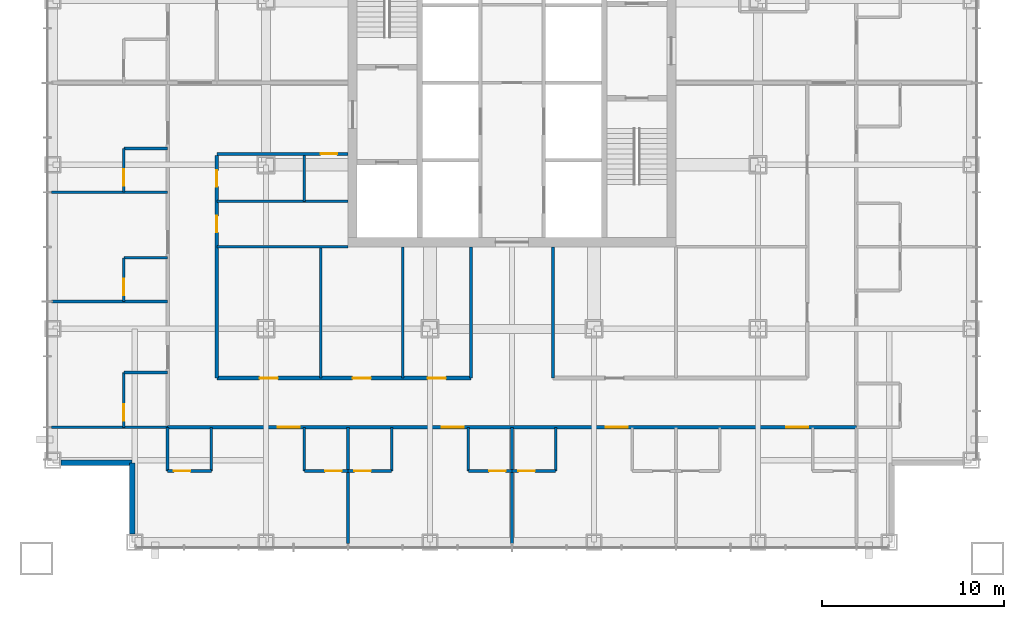
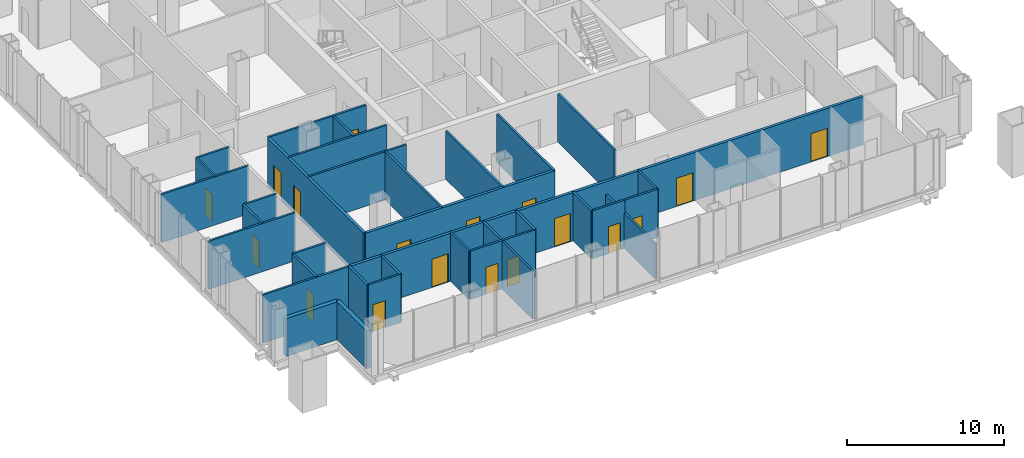
# One storey, part 7 of 12: 35 walls, 18 doors, 18 openings.
"""IFC4 building model written with IfcOpenShell, lengths in metres."""

from ifc_helpers import new_model, si_unit, direction, frame, frame_2d, origin, place, context, subcontext, project, spatial, rectangle, extrude, material, layer, layer_set, type_object, element, fill, save


model = new_model("IFC4")

# Units and contexts
model_context = context("Model", 3, precision=1e-05, world=origin(), true_north=direction((0.0, 1.0)))
body_context = subcontext(model_context, "Body", "Model", "MODEL_VIEW")
ifc_project = project(units=[si_unit("LENGTHUNIT", "METRE"), si_unit("AREAUNIT", "SQUARE_METRE"), si_unit("VOLUMEUNIT", "CUBIC_METRE"), si_unit("PLANEANGLEUNIT", "RADIAN"), si_unit("MASSUNIT", "GRAM", prefix="KILO")], contexts=[model_context])

# Site, building, storey
site_placement = place(None, origin())
site = spatial("IfcSite", under=ifc_project, at=site_placement, CompositionType="ELEMENT")
building_placement = place(site_placement, origin())
building = spatial("IfcBuilding", under=site, at=building_placement, Name="Malebo Sky Hospital", CompositionType="ELEMENT")
storey_placement = place(building_placement, frame((0.0, 0.0, 59.0)))
storey = spatial("IfcBuildingStorey", under=building, at=storey_placement, Name="L13", CompositionType="ELEMENT", Elevation=59.0)

# Wall, openings, doors
ifc_material_1 = material(Name="Gypsum board on steel studs", Category="steel")
ifc_layer_1 = layer(ifc_material_1, 0.199951171875)
ifc_layer_set_1 = layer_set([ifc_layer_1], Name="CORRIDOR WALL 200")
wall_type_1 = type_object("IfcWallType", Name="CORRIDOR WALL 200", PredefinedType="PARTITIONING", material=ifc_layer_set_1)
wall_1_placement = place(storey_placement, frame((43.800048828125, 45.800048828125, 0.0), z_axis=(0.0, 0.0, 1.0), x_axis=(0.0, 1.0, 0.0)))
wall_1 = element("IfcWall", 1, at=wall_1_placement, inside=storey, type_object=wall_type_1, Name="Corridor Wall 200 WCI1", PredefinedType="PARTITIONING", context=body_context, shape_type="SweptSolid", body=[
    extrude(rectangle(XDim=12.199951171875, YDim=0.199951171875, at=frame_2d((6.10009765625, 0.0))), origin(), (0.0, 0.0, 1.0), 3.75),
])
opening_1_placement = place(wall_1_placement, frame((8.0, 0.0, 0.0)))
opening_1 = element("IfcOpeningElement", 2, at=opening_1_placement, cuts=wall_1, Name="Opening D04", PredefinedType="OPENING", context=body_context, shape_type="SweptSolid", body=[
    extrude(rectangle(XDim=0.89990234375, YDim=2.10009765625, at=frame_2d((0.449951171875, 1.050048828125))), frame((0.0, 0.10986328125, 0.0), z_axis=(0.0, -1.0, 0.0), x_axis=(1.0, 0.0, 0.0)), (0.0, 0.0, 1.0), 0.219970703125),
])
opening_2_placement = place(wall_1_placement, frame((10.5, 0.0, 0.0)))
opening_2 = element("IfcOpeningElement", 3, at=opening_2_placement, cuts=wall_1, Name="Opening D04", PredefinedType="OPENING", context=body_context, shape_type="SweptSolid", body=[
    extrude(rectangle(XDim=0.89990234375, YDim=2.10009765625, at=frame_2d((0.449951171875, 1.050048828125))), frame((0.0, 0.10986328125, 0.0), z_axis=(0.0, -1.0, 0.0), x_axis=(1.0, 0.0, 0.0)), (0.0, 0.0, 1.0), 0.219970703125),
])
ifc_material_2 = material(Name="Hardwood-faced door leaf in steel frame", Category="steel")
door_type_1 = type_object("IfcDoorType", Name="ROOM DOOR 900", OperationType="SINGLE_SWING_LEFT", PredefinedType="DOOR", material=ifc_material_2)
door_1_placement = place(opening_1_placement, origin())
door_1 = element("IfcDoor", 4, at=door_1_placement, inside=storey, type_object=door_type_1, Name="Medication room door", OperationType="SINGLE_SWING_LEFT", OverallHeight=2.10009765625, OverallWidth=0.89990234375, PredefinedType="DOOR", context=body_context, shape_type="SweptSolid", body=[
    extrude(rectangle(XDim=0.89990234375, YDim=2.10009765625, at=frame_2d((0.449951171875, 1.050048828125))), frame((0.0, 0.02490234375, 0.0), z_axis=(0.0, -1.0, 0.0), x_axis=(1.0, 0.0, 0.0)), (0.0, 0.0, 1.0), 0.050048828125),
])
fill(opening_1, door_1)
door_2_placement = place(opening_2_placement, origin())
door_2 = element("IfcDoor", 5, at=door_2_placement, inside=storey, type_object=door_type_1, Name="Linen store door", OperationType="SINGLE_SWING_LEFT", OverallHeight=2.10009765625, OverallWidth=0.89990234375, PredefinedType="DOOR", context=body_context, shape_type="SweptSolid", body=[
    extrude(rectangle(XDim=0.89990234375, YDim=2.10009765625, at=frame_2d((0.449951171875, 1.050048828125))), frame((0.0, 0.02490234375, 0.0), z_axis=(0.0, -1.0, 0.0), x_axis=(1.0, 0.0, 0.0)), (0.0, 0.0, 1.0), 0.050048828125),
])
fill(opening_2, door_2)

wall_2_placement = place(storey_placement, frame((78.89990234375, 43.10009765625, 0.0), z_axis=(0.0, 0.0, 1.0), x_axis=(-1.0, 0.0, 0.0)))
wall_2 = element("IfcWall", 6, at=wall_2_placement, inside=storey, type_object=wall_type_1, Name="Corridor Wall 200 SCO", PredefinedType="PARTITIONING", context=body_context, shape_type="SweptSolid", body=[
    extrude(rectangle(XDim=37.7998046875, YDim=0.199951171875, at=frame_2d((18.89990234375, 0.0))), origin(), (0.0, 0.0, 1.0), 3.75),
])
opening_3_placement = place(wall_2_placement, frame((2.64990234375, 0.0, 0.0)))
opening_3 = element("IfcOpeningElement", 7, at=opening_3_placement, cuts=wall_2, Name="Opening D01", PredefinedType="OPENING", context=body_context, shape_type="SweptSolid", body=[
    extrude(rectangle(XDim=1.199951171875, YDim=2.199951171875, at=frame_2d((0.60009765625, 1.10009765625))), frame((0.0, 0.10986328125, 0.0), z_axis=(0.0, -1.0, 0.0), x_axis=(1.0, 0.0, 0.0)), (0.0, 0.0, 1.0), 0.219970703125),
])
opening_4_placement = place(wall_2_placement, frame((12.550048828125, 0.0, 0.0)))
opening_4 = element("IfcOpeningElement", 8, at=opening_4_placement, cuts=wall_2, Name="Opening D01", PredefinedType="OPENING", context=body_context, shape_type="SweptSolid", body=[
    extrude(rectangle(XDim=1.199951171875, YDim=2.199951171875, at=frame_2d((0.60009765625, 1.10009765625))), frame((0.0, 0.10986328125, 0.0), z_axis=(0.0, -1.0, 0.0), x_axis=(1.0, 0.0, 0.0)), (0.0, 0.0, 1.0), 0.219970703125),
])
opening_5_placement = place(wall_2_placement, frame((21.550048828125, 0.0, 0.0)))
opening_5 = element("IfcOpeningElement", 9, at=opening_5_placement, cuts=wall_2, Name="Opening D01", PredefinedType="OPENING", context=body_context, shape_type="SweptSolid", body=[
    extrude(rectangle(XDim=1.199951171875, YDim=2.199951171875, at=frame_2d((0.60009765625, 1.10009765625))), frame((0.0, 0.10986328125, 0.0), z_axis=(0.0, -1.0, 0.0), x_axis=(1.0, 0.0, 0.0)), (0.0, 0.0, 1.0), 0.219970703125),
])
opening_6_placement = place(wall_2_placement, frame((30.550048828125, 0.0, 0.0)))
opening_6 = element("IfcOpeningElement", 10, at=opening_6_placement, cuts=wall_2, Name="Opening D01", PredefinedType="OPENING", context=body_context, shape_type="SweptSolid", body=[
    extrude(rectangle(XDim=1.199951171875, YDim=2.199951171875, at=frame_2d((0.60009765625, 1.10009765625))), frame((0.0, 0.10986328125, 0.0), z_axis=(0.0, -1.0, 0.0), x_axis=(1.0, 0.0, 0.0)), (0.0, 0.0, 1.0), 0.219970703125),
])
door_type_2 = type_object("IfcDoorType", Name="BED DOOR 1200", OperationType="SINGLE_SWING_LEFT", PredefinedType="DOOR", material=ifc_material_2)
door_3_placement = place(opening_3_placement, origin())
door_3 = element("IfcDoor", 11, at=door_3_placement, inside=storey, type_object=door_type_2, Name="Four-bed bay door", OperationType="SINGLE_SWING_LEFT", OverallHeight=2.199951171875, OverallWidth=1.199951171875, PredefinedType="DOOR", context=body_context, shape_type="SweptSolid", body=[
    extrude(rectangle(XDim=1.199951171875, YDim=2.199951171875, at=frame_2d((0.60009765625, 1.10009765625))), frame((0.0, 0.02490234375, 0.0), z_axis=(0.0, -1.0, 0.0), x_axis=(1.0, 0.0, 0.0)), (0.0, 0.0, 1.0), 0.050048828125),
])
fill(opening_3, door_3)
door_4_placement = place(opening_4_placement, origin())
door_4 = element("IfcDoor", 12, at=door_4_placement, inside=storey, type_object=door_type_2, Name="Four-bed bay door", OperationType="SINGLE_SWING_LEFT", OverallHeight=2.199951171875, OverallWidth=1.199951171875, PredefinedType="DOOR", context=body_context, shape_type="SweptSolid", body=[
    extrude(rectangle(XDim=1.199951171875, YDim=2.199951171875, at=frame_2d((0.60009765625, 1.10009765625))), frame((0.0, 0.02490234375, 0.0), z_axis=(0.0, -1.0, 0.0), x_axis=(1.0, 0.0, 0.0)), (0.0, 0.0, 1.0), 0.050048828125),
])
fill(opening_4, door_4)
door_5_placement = place(opening_5_placement, origin())
door_5 = element("IfcDoor", 13, at=door_5_placement, inside=storey, type_object=door_type_2, Name="Four-bed bay door", OperationType="SINGLE_SWING_LEFT", OverallHeight=2.199951171875, OverallWidth=1.199951171875, PredefinedType="DOOR", context=body_context, shape_type="SweptSolid", body=[
    extrude(rectangle(XDim=1.199951171875, YDim=2.199951171875, at=frame_2d((0.60009765625, 1.10009765625))), frame((0.0, 0.02490234375, 0.0), z_axis=(0.0, -1.0, 0.0), x_axis=(1.0, 0.0, 0.0)), (0.0, 0.0, 1.0), 0.050048828125),
])
fill(opening_5, door_5)
door_6_placement = place(opening_6_placement, origin())
door_6 = element("IfcDoor", 14, at=door_6_placement, inside=storey, type_object=door_type_2, Name="Four-bed bay door", OperationType="SINGLE_SWING_LEFT", OverallHeight=2.199951171875, OverallWidth=1.199951171875, PredefinedType="DOOR", context=body_context, shape_type="SweptSolid", body=[
    extrude(rectangle(XDim=1.199951171875, YDim=2.199951171875, at=frame_2d((0.60009765625, 1.10009765625))), frame((0.0, 0.02490234375, 0.0), z_axis=(0.0, -1.0, 0.0), x_axis=(1.0, 0.0, 0.0)), (0.0, 0.0, 1.0), 0.050048828125),
])
fill(opening_6, door_6)

wall_3_placement = place(storey_placement, frame((57.75, 45.800048828125, 0.0), z_axis=(0.0, 0.0, 1.0), x_axis=(-1.0, 0.0, 0.0)))
wall_3 = element("IfcWall", 15, at=wall_3_placement, inside=storey, type_object=wall_type_1, Name="Corridor Wall 200 SCI2", PredefinedType="PARTITIONING", context=body_context, shape_type="SweptSolid", body=[
    extrude(rectangle(XDim=13.949951171875, YDim=0.199951171875, at=frame_2d((6.97509765625, 0.0))), origin(), (0.0, 0.0, 1.0), 3.75),
])
opening_7_placement = place(wall_3_placement, frame((1.375, 0.0, 0.0)))
opening_7 = element("IfcOpeningElement", 16, at=opening_7_placement, cuts=wall_3, Name="Opening D03", PredefinedType="OPENING", context=body_context, shape_type="SweptSolid", body=[
    extrude(rectangle(XDim=1.0, YDim=2.10009765625, at=frame_2d((0.5, 1.050048828125))), frame((0.0, 0.10986328125, 0.0), z_axis=(0.0, -1.0, 0.0), x_axis=(1.0, 0.0, 0.0)), (0.0, 0.0, 1.0), 0.219970703125),
])
opening_8_placement = place(wall_3_placement, frame((5.5, 0.0, 0.0)))
opening_8 = element("IfcOpeningElement", 17, at=opening_8_placement, cuts=wall_3, Name="Opening D03", PredefinedType="OPENING", context=body_context, shape_type="SweptSolid", body=[
    extrude(rectangle(XDim=1.0, YDim=2.10009765625, at=frame_2d((0.5, 1.050048828125))), frame((0.0, 0.10986328125, 0.0), z_axis=(0.0, -1.0, 0.0), x_axis=(1.0, 0.0, 0.0)), (0.0, 0.0, 1.0), 0.219970703125),
])
opening_9_placement = place(wall_3_placement, frame((10.60009765625, 0.0, 0.0)))
opening_9 = element("IfcOpeningElement", 18, at=opening_9_placement, cuts=wall_3, Name="Opening D03", PredefinedType="OPENING", context=body_context, shape_type="SweptSolid", body=[
    extrude(rectangle(XDim=1.0, YDim=2.10009765625, at=frame_2d((0.5, 1.050048828125))), frame((0.0, 0.10986328125, 0.0), z_axis=(0.0, -1.0, 0.0), x_axis=(1.0, 0.0, 0.0)), (0.0, 0.0, 1.0), 0.219970703125),
])
door_type_3 = type_object("IfcDoorType", Name="ROOM DOOR 1000", OperationType="SINGLE_SWING_LEFT", PredefinedType="DOOR", material=ifc_material_2)
door_7_placement = place(opening_7_placement, origin())
door_7 = element("IfcDoor", 19, at=door_7_placement, inside=storey, type_object=door_type_3, Name="Ward office door", OperationType="SINGLE_SWING_LEFT", OverallHeight=2.10009765625, OverallWidth=1.0, PredefinedType="DOOR", context=body_context, shape_type="SweptSolid", body=[
    extrude(rectangle(XDim=1.0, YDim=2.10009765625, at=frame_2d((0.5, 1.050048828125))), frame((0.0, 0.02490234375, 0.0), z_axis=(0.0, -1.0, 0.0), x_axis=(1.0, 0.0, 0.0)), (0.0, 0.0, 1.0), 0.050048828125),
])
fill(opening_7, door_7)
door_8_placement = place(opening_8_placement, origin())
door_8 = element("IfcDoor", 20, at=door_8_placement, inside=storey, type_object=door_type_3, Name="Dirty utility room door", OperationType="SINGLE_SWING_LEFT", OverallHeight=2.10009765625, OverallWidth=1.0, PredefinedType="DOOR", context=body_context, shape_type="SweptSolid", body=[
    extrude(rectangle(XDim=1.0, YDim=2.10009765625, at=frame_2d((0.5, 1.050048828125))), frame((0.0, 0.02490234375, 0.0), z_axis=(0.0, -1.0, 0.0), x_axis=(1.0, 0.0, 0.0)), (0.0, 0.0, 1.0), 0.050048828125),
])
fill(opening_8, door_8)
door_9_placement = place(opening_9_placement, origin())
door_9 = element("IfcDoor", 21, at=door_9_placement, inside=storey, type_object=door_type_3, Name="Interview room door", OperationType="SINGLE_SWING_RIGHT", OverallHeight=2.10009765625, OverallWidth=1.0, PredefinedType="DOOR", context=body_context, shape_type="SweptSolid", body=[
    extrude(rectangle(XDim=1.0, YDim=2.10009765625, at=frame_2d((0.5, 1.050048828125))), frame((0.0, 0.02490234375, 0.0), z_axis=(0.0, -1.0, 0.0), x_axis=(1.0, 0.0, 0.0)), (0.0, 0.0, 1.0), 0.050048828125),
])
fill(opening_9, door_9)

# Walls
ifc_material_3 = material(Name="Anodised aluminium rainscreen on steel framing", Category="steel")
ifc_layer_2 = layer(ifc_material_3, 0.300048828125)
ifc_layer_set_2 = layer_set([ifc_layer_2], Name="NOTCH RAINSCREEN WALL 300")
wall_type_2 = type_object("IfcWallType", Name="NOTCH RAINSCREEN WALL 300", PredefinedType="ELEMENTEDWALL", material=ifc_layer_set_2)
for number, where, z_axis, x_axis, name in (
    (22, (39.14990234375, 37.25, 0.0), (0.0, 0.0, 1.0), (0.0, 1.0, 0.0), "Notch rainscreen wall S1 L13"),
    (23, (39.14990234375, 41.14990234375, 0.0), (0.0, 0.0, 1.0), (-1.0, 0.0, 0.0), "Notch rainscreen wall S2 L13"),
):
    element("IfcWall", number, at=place(storey_placement, frame(where, z_axis=z_axis, x_axis=x_axis)), inside=storey, type_object=wall_type_2, Name=name, PredefinedType="ELEMENTEDWALL", context=body_context, shape_type="SweptSolid", body=[
        extrude(rectangle(XDim=3.89990234375, YDim=0.300048828125, at=frame_2d((1.949951171875, 0.0))), origin(), (0.0, 0.0, 1.0), 2.949951171875),
    ])
ifc_layer_3 = layer(ifc_material_1, 0.14990234375)
ifc_layer_set_3 = layer_set([ifc_layer_3], Name="PARTITION 150")
wall_type_3 = type_object("IfcWallType", Name="PARTITION 150", PredefinedType="PARTITIONING", material=ifc_layer_set_3)
for number, where, z_axis, x_axis, name in (
    (24, (41.10009765625, 50.0, 0.0), (0.0, 0.0, 1.0), (-1.0, 0.0, 0.0), "Partition 150 WP-12.0"),
    (25, (41.10009765625, 56.0, 0.0), (0.0, 0.0, 1.0), (-1.0, 0.0, 0.0), "Partition 150 WP-6.0"),
    (26, (41.10009765625, 43.10009765625, 0.0), (0.0, 0.0, 1.0), (-1.0, 0.0, 0.0), "Partition 150 WP0"),
):
    element("IfcWall", number, at=place(storey_placement, frame(where, z_axis=z_axis, x_axis=x_axis)), inside=storey, type_object=wall_type_3, Name=name, PredefinedType="PARTITIONING", context=body_context, shape_type="SweptSolid", body=[
        extrude(rectangle(XDim=6.375, YDim=0.14990234375, at=frame_2d((3.1875, 0.0))), origin(), (0.0, 0.0, 1.0), 3.75),
    ])

# Wall, opening, door
wall_4_placement = place(storey_placement, frame((38.699951171875, 43.10009765625, 0.0), z_axis=(0.0, 0.0, 1.0), x_axis=(0.0, 1.0, 0.0)))
wall_4 = element("IfcWall", 27, at=wall_4_placement, inside=storey, type_object=wall_type_3, Name="Partition 150 WE0F", PredefinedType="PARTITIONING", context=body_context, shape_type="SweptSolid", body=[
    extrude(rectangle(XDim=3.0, YDim=0.14990234375, at=frame_2d((1.5, 0.0))), origin(), (0.0, 0.0, 1.0), 3.75),
])
opening_10_placement = place(wall_4_placement, frame((0.35009765625, 0.0, 0.0)))
opening_10 = element("IfcOpeningElement", 28, at=opening_10_placement, cuts=wall_4, Name="Opening D02", PredefinedType="OPENING", context=body_context, shape_type="SweptSolid", body=[
    extrude(rectangle(XDim=0.89990234375, YDim=2.10009765625, at=frame_2d((0.449951171875, 1.050048828125))), frame((0.0, 0.0849609375, 0.0), z_axis=(0.0, -1.0, 0.0), x_axis=(1.0, 0.0, 0.0)), (0.0, 0.0, 1.0), 0.169921875),
])
door_type_4 = type_object("IfcDoorType", Name="EN-SUITE DOOR 900", OperationType="SINGLE_SWING_LEFT", PredefinedType="DOOR", material=ifc_material_2)
door_10_placement = place(opening_10_placement, origin())
door_10 = element("IfcDoor", 29, at=door_10_placement, inside=storey, type_object=door_type_4, Name="En-suite door", OperationType="SINGLE_SWING_LEFT", OverallHeight=2.10009765625, OverallWidth=0.89990234375, PredefinedType="DOOR", context=body_context, shape_type="SweptSolid", body=[
    extrude(rectangle(XDim=0.89990234375, YDim=2.10009765625, at=frame_2d((0.449951171875, 1.050048828125))), frame((0.0, 0.02490234375, 0.0), z_axis=(0.0, -1.0, 0.0), x_axis=(1.0, 0.0, 0.0)), (0.0, 0.0, 1.0), 0.050048828125),
])
fill(opening_10, door_10)

# Wall
wall_5_placement = place(storey_placement, frame((41.10009765625, 46.10009765625, 0.0), z_axis=(0.0, 0.0, 1.0), x_axis=(-1.0, 0.0, 0.0)))
element("IfcWall", 30, at=wall_5_placement, inside=storey, type_object=wall_type_3, Name="Partition 150 WE0S", PredefinedType="PARTITIONING", context=body_context, shape_type="SweptSolid", body=[
    extrude(rectangle(XDim=2.400146484375, YDim=0.14990234375, at=frame_2d((1.2001953125, 0.0))), origin(), (0.0, 0.0, 1.0), 3.75),
])

# Wall, opening, door
wall_6_placement = place(storey_placement, frame((38.699951171875, 50.0, 0.0), z_axis=(0.0, 0.0, 1.0), x_axis=(0.0, 1.0, 0.0)))
wall_6 = element("IfcWall", 31, at=wall_6_placement, inside=storey, type_object=wall_type_3, Name="Partition 150 WE1F", PredefinedType="PARTITIONING", context=body_context, shape_type="SweptSolid", body=[
    extrude(rectangle(XDim=2.39990234375, YDim=0.14990234375, at=frame_2d((1.199951171875, 0.0))), origin(), (0.0, 0.0, 1.0), 3.75),
])
opening_11_placement = place(wall_6_placement, frame((0.35009765625, 0.0, 0.0)))
opening_11 = element("IfcOpeningElement", 32, at=opening_11_placement, cuts=wall_6, Name="Opening D02", PredefinedType="OPENING", context=body_context, shape_type="SweptSolid", body=[
    extrude(rectangle(XDim=0.89990234375, YDim=2.10009765625, at=frame_2d((0.449951171875, 1.050048828125))), frame((0.0, 0.0849609375, 0.0), z_axis=(0.0, -1.0, 0.0), x_axis=(1.0, 0.0, 0.0)), (0.0, 0.0, 1.0), 0.169921875),
])
door_11_placement = place(opening_11_placement, origin())
door_11 = element("IfcDoor", 33, at=door_11_placement, inside=storey, type_object=door_type_4, Name="En-suite door", OperationType="SINGLE_SWING_LEFT", OverallHeight=2.10009765625, OverallWidth=0.89990234375, PredefinedType="DOOR", context=body_context, shape_type="SweptSolid", body=[
    extrude(rectangle(XDim=0.89990234375, YDim=2.10009765625, at=frame_2d((0.449951171875, 1.050048828125))), frame((0.0, 0.02490234375, 0.0), z_axis=(0.0, -1.0, 0.0), x_axis=(1.0, 0.0, 0.0)), (0.0, 0.0, 1.0), 0.050048828125),
])
fill(opening_11, door_11)

# Wall
wall_7_placement = place(storey_placement, frame((41.10009765625, 52.39990234375, 0.0), z_axis=(0.0, 0.0, 1.0), x_axis=(-1.0, 0.0, 0.0)))
element("IfcWall", 34, at=wall_7_placement, inside=storey, type_object=wall_type_3, Name="Partition 150 WE1S", PredefinedType="PARTITIONING", context=body_context, shape_type="SweptSolid", body=[
    extrude(rectangle(XDim=2.400146484375, YDim=0.14990234375, at=frame_2d((1.2001953125, 0.0))), origin(), (0.0, 0.0, 1.0), 3.75),
])

# Wall, opening, door
wall_8_placement = place(storey_placement, frame((38.699951171875, 56.0, 0.0), z_axis=(0.0, 0.0, 1.0), x_axis=(0.0, 1.0, 0.0)))
wall_8 = element("IfcWall", 35, at=wall_8_placement, inside=storey, type_object=wall_type_3, Name="Partition 150 WE2F", PredefinedType="PARTITIONING", context=body_context, shape_type="SweptSolid", body=[
    extrude(rectangle(XDim=2.39990234375, YDim=0.14990234375, at=frame_2d((1.199951171875, 0.0))), origin(), (0.0, 0.0, 1.0), 3.75),
])
opening_12_placement = place(wall_8_placement, frame((0.35009765625, 0.0, 0.0)))
opening_12 = element("IfcOpeningElement", 36, at=opening_12_placement, cuts=wall_8, Name="Opening D02", PredefinedType="OPENING", context=body_context, shape_type="SweptSolid", body=[
    extrude(rectangle(XDim=0.89990234375, YDim=2.10009765625, at=frame_2d((0.449951171875, 1.050048828125))), frame((0.0, 0.0849609375, 0.0), z_axis=(0.0, -1.0, 0.0), x_axis=(1.0, 0.0, 0.0)), (0.0, 0.0, 1.0), 0.169921875),
])
door_12_placement = place(opening_12_placement, origin())
door_12 = element("IfcDoor", 37, at=door_12_placement, inside=storey, type_object=door_type_4, Name="En-suite door", OperationType="SINGLE_SWING_LEFT", OverallHeight=2.10009765625, OverallWidth=0.89990234375, PredefinedType="DOOR", context=body_context, shape_type="SweptSolid", body=[
    extrude(rectangle(XDim=0.89990234375, YDim=2.10009765625, at=frame_2d((0.449951171875, 1.050048828125))), frame((0.0, 0.02490234375, 0.0), z_axis=(0.0, -1.0, 0.0), x_axis=(1.0, 0.0, 0.0)), (0.0, 0.0, 1.0), 0.050048828125),
])
fill(opening_12, door_12)

# Walls
wall_9_placement = place(storey_placement, frame((41.10009765625, 58.39990234375, 0.0), z_axis=(0.0, 0.0, 1.0), x_axis=(-1.0, 0.0, 0.0)))
element("IfcWall", 38, at=wall_9_placement, inside=storey, type_object=wall_type_3, Name="Partition 150 WE2S", PredefinedType="PARTITIONING", context=body_context, shape_type="SweptSolid", body=[
    extrude(rectangle(XDim=2.400146484375, YDim=0.14990234375, at=frame_2d((1.2001953125, 0.0))), origin(), (0.0, 0.0, 1.0), 3.75),
])
wall_10_placement = place(storey_placement, frame((51.0, 53.0, 0.0), z_axis=(0.0, 0.0, 1.0), x_axis=(-1.0, 0.0, 0.0)))
element("IfcWall", 39, at=wall_10_placement, inside=storey, type_object=wall_type_3, Name="Partition 150 WSP0", PredefinedType="PARTITIONING", context=body_context, shape_type="SweptSolid", body=[
    extrude(rectangle(XDim=7.199951171875, YDim=0.14990234375, at=frame_2d((3.60009765625, 0.0))), origin(), (0.0, 0.0, 1.0), 3.75),
])

# Wall, opening, door
wall_11_placement = place(storey_placement, frame((51.0, 58.10009765625, 0.0), z_axis=(0.0, 0.0, 1.0), x_axis=(-1.0, 0.0, 0.0)))
wall_11 = element("IfcWall", 40, at=wall_11_placement, inside=storey, type_object=wall_type_3, Name="Partition 150 WSPA", PredefinedType="PARTITIONING", context=body_context, shape_type="SweptSolid", body=[
    extrude(rectangle(XDim=7.199951171875, YDim=0.14990234375, at=frame_2d((3.60009765625, 0.0))), origin(), (0.0, 0.0, 1.0), 3.75),
])
opening_13_placement = place(wall_11_placement, frame((0.60009765625, 0.0, 0.0)))
opening_13 = element("IfcOpeningElement", 41, at=opening_13_placement, cuts=wall_11, Name="Opening D04", PredefinedType="OPENING", context=body_context, shape_type="SweptSolid", body=[
    extrude(rectangle(XDim=0.89990234375, YDim=2.10009765625, at=frame_2d((0.449951171875, 1.050048828125))), frame((0.0, 0.0849609375, 0.0), z_axis=(0.0, -1.0, 0.0), x_axis=(1.0, 0.0, 0.0)), (0.0, 0.0, 1.0), 0.169921875),
])
door_13_placement = place(opening_13_placement, origin())
door_13 = element("IfcDoor", 42, at=door_13_placement, inside=storey, type_object=door_type_1, Name="Cleaner's room door", OperationType="SINGLE_SWING_LEFT", OverallHeight=2.10009765625, OverallWidth=0.89990234375, PredefinedType="DOOR", context=body_context, shape_type="SweptSolid", body=[
    extrude(rectangle(XDim=0.89990234375, YDim=2.10009765625, at=frame_2d((0.449951171875, 1.050048828125))), frame((0.0, 0.02490234375, 0.0), z_axis=(0.0, -1.0, 0.0), x_axis=(1.0, 0.0, 0.0)), (0.0, 0.0, 1.0), 0.050048828125),
])
fill(opening_13, door_13)

# Walls
wall_12_placement = place(storey_placement, frame((51.0, 55.5, 0.0), z_axis=(0.0, 0.0, 1.0), x_axis=(-1.0, 0.0, 0.0)))
element("IfcWall", 43, at=wall_12_placement, inside=storey, type_object=wall_type_3, Name="Partition 150 WSP-6.5", PredefinedType="PARTITIONING", context=body_context, shape_type="SweptSolid", body=[
    extrude(rectangle(XDim=7.199951171875, YDim=0.14990234375, at=frame_2d((3.60009765625, 0.0))), origin(), (0.0, 0.0, 1.0), 3.75),
])
wall_13_placement = place(storey_placement, frame((48.60009765625, 55.5, 0.0), z_axis=(0.0, 0.0, 1.0), x_axis=(0.0, 1.0, 0.0)))
element("IfcWall", 44, at=wall_13_placement, inside=storey, type_object=wall_type_3, Name="Partition 150 WSX1", PredefinedType="PARTITIONING", context=body_context, shape_type="SweptSolid", body=[
    extrude(rectangle(XDim=2.5, YDim=0.14990234375, at=frame_2d((1.25, 0.0))), origin(), (0.0, 0.0, 1.0), 3.75),
])
wall_14_placement = place(storey_placement, frame((60.0, 43.10009765625, 0.0), z_axis=(0.0, 0.0, 1.0), x_axis=(0.0, -1.0, 0.0)))
element("IfcWall", 45, at=wall_14_placement, inside=storey, type_object=wall_type_3, Name="Partition 150 SP+0.0", PredefinedType="PARTITIONING", context=body_context, shape_type="SweptSolid", body=[
    extrude(rectangle(XDim=6.375, YDim=0.14990234375, at=frame_2d((3.1875, 0.0))), origin(), (0.0, 0.0, 1.0), 2.75),
])
wall_15_placement = place(storey_placement, frame((51.0, 43.10009765625, 0.0), z_axis=(0.0, 0.0, 1.0), x_axis=(0.0, -1.0, 0.0)))
element("IfcWall", 46, at=wall_15_placement, inside=storey, type_object=wall_type_3, Name="Partition 150 SP+9.0", PredefinedType="PARTITIONING", context=body_context, shape_type="SweptSolid", body=[
    extrude(rectangle(XDim=6.375, YDim=0.14990234375, at=frame_2d((3.1875, 0.0))), origin(), (0.0, 0.0, 1.0), 3.75),
])

# Wall, opening, door
wall_16_placement = place(storey_placement, frame((62.39990234375, 40.699951171875, 0.0), z_axis=(0.0, 0.0, 1.0), x_axis=(-1.0, 0.0, 0.0)))
wall_16 = element("IfcWall", 47, at=wall_16_placement, inside=storey, type_object=wall_type_3, Name="Partition 150 SG1F", PredefinedType="PARTITIONING", context=body_context, shape_type="SweptSolid", body=[
    extrude(rectangle(XDim=2.39990234375, YDim=0.14990234375, at=frame_2d((1.199951171875, 0.0))), origin(), (0.0, 0.0, 1.0), 3.75),
])
opening_14_placement = place(wall_16_placement, frame((1.14990234375, 0.0, 0.0)))
opening_14 = element("IfcOpeningElement", 48, at=opening_14_placement, cuts=wall_16, Name="Opening D02", PredefinedType="OPENING", context=body_context, shape_type="SweptSolid", body=[
    extrude(rectangle(XDim=0.89990234375, YDim=2.10009765625, at=frame_2d((0.449951171875, 1.050048828125))), frame((0.0, 0.0849609375, 0.0), z_axis=(0.0, -1.0, 0.0), x_axis=(1.0, 0.0, 0.0)), (0.0, 0.0, 1.0), 0.169921875),
])
door_14_placement = place(opening_14_placement, origin())
door_14 = element("IfcDoor", 49, at=door_14_placement, inside=storey, type_object=door_type_4, Name="En-suite door", OperationType="SINGLE_SWING_RIGHT", OverallHeight=2.10009765625, OverallWidth=0.89990234375, PredefinedType="DOOR", context=body_context, shape_type="SweptSolid", body=[
    extrude(rectangle(XDim=0.89990234375, YDim=2.10009765625, at=frame_2d((0.449951171875, 1.050048828125))), frame((0.0, 0.02490234375, 0.0), z_axis=(0.0, -1.0, 0.0), x_axis=(1.0, 0.0, 0.0)), (0.0, 0.0, 1.0), 0.050048828125),
])
fill(opening_14, door_14)

# Wall
wall_17_placement = place(storey_placement, frame((62.39990234375, 43.10009765625, 0.0), z_axis=(0.0, 0.0, 1.0), x_axis=(0.0, -1.0, 0.0)))
element("IfcWall", 50, at=wall_17_placement, inside=storey, type_object=wall_type_3, Name="Partition 150 SG1S", PredefinedType="PARTITIONING", context=body_context, shape_type="SweptSolid", body=[
    extrude(rectangle(XDim=2.400146484375, YDim=0.14990234375, at=frame_2d((1.2001953125, 0.0))), origin(), (0.0, 0.0, 1.0), 3.75),
])

# Wall, opening, door
wall_18_placement = place(storey_placement, frame((60.0, 40.699951171875, 0.0), z_axis=(0.0, 0.0, 1.0), x_axis=(-1.0, 0.0, 0.0)))
wall_18 = element("IfcWall", 51, at=wall_18_placement, inside=storey, type_object=wall_type_3, Name="Partition 150 SE2F", PredefinedType="PARTITIONING", context=body_context, shape_type="SweptSolid", body=[
    extrude(rectangle(XDim=2.39990234375, YDim=0.14990234375, at=frame_2d((1.199951171875, 0.0))), origin(), (0.0, 0.0, 1.0), 3.75),
])
opening_15_placement = place(wall_18_placement, frame((0.35009765625, 0.0, 0.0)))
opening_15 = element("IfcOpeningElement", 52, at=opening_15_placement, cuts=wall_18, Name="Opening D02", PredefinedType="OPENING", context=body_context, shape_type="SweptSolid", body=[
    extrude(rectangle(XDim=0.89990234375, YDim=2.10009765625, at=frame_2d((0.449951171875, 1.050048828125))), frame((0.0, 0.0849609375, 0.0), z_axis=(0.0, -1.0, 0.0), x_axis=(1.0, 0.0, 0.0)), (0.0, 0.0, 1.0), 0.169921875),
])
door_15_placement = place(opening_15_placement, origin())
door_15 = element("IfcDoor", 53, at=door_15_placement, inside=storey, type_object=door_type_4, Name="En-suite door", OperationType="SINGLE_SWING_LEFT", OverallHeight=2.10009765625, OverallWidth=0.89990234375, PredefinedType="DOOR", context=body_context, shape_type="SweptSolid", body=[
    extrude(rectangle(XDim=0.89990234375, YDim=2.10009765625, at=frame_2d((0.449951171875, 1.050048828125))), frame((0.0, 0.02490234375, 0.0), z_axis=(0.0, -1.0, 0.0), x_axis=(1.0, 0.0, 0.0)), (0.0, 0.0, 1.0), 0.050048828125),
])
fill(opening_15, door_15)

# Wall
wall_19_placement = place(storey_placement, frame((57.60009765625, 43.10009765625, 0.0), z_axis=(0.0, 0.0, 1.0), x_axis=(0.0, -1.0, 0.0)))
element("IfcWall", 54, at=wall_19_placement, inside=storey, type_object=wall_type_3, Name="Partition 150 SE2S", PredefinedType="PARTITIONING", context=body_context, shape_type="SweptSolid", body=[
    extrude(rectangle(XDim=2.400146484375, YDim=0.14990234375, at=frame_2d((1.2001953125, 0.0))), origin(), (0.0, 0.0, 1.0), 3.75),
])

# Wall, opening, door
wall_20_placement = place(storey_placement, frame((53.39990234375, 40.699951171875, 0.0), z_axis=(0.0, 0.0, 1.0), x_axis=(-1.0, 0.0, 0.0)))
wall_20 = element("IfcWall", 55, at=wall_20_placement, inside=storey, type_object=wall_type_3, Name="Partition 150 SG2F", PredefinedType="PARTITIONING", context=body_context, shape_type="SweptSolid", body=[
    extrude(rectangle(XDim=2.39990234375, YDim=0.14990234375, at=frame_2d((1.199951171875, 0.0))), origin(), (0.0, 0.0, 1.0), 3.75),
])
opening_16_placement = place(wall_20_placement, frame((1.14990234375, 0.0, 0.0)))
opening_16 = element("IfcOpeningElement", 56, at=opening_16_placement, cuts=wall_20, Name="Opening D02", PredefinedType="OPENING", context=body_context, shape_type="SweptSolid", body=[
    extrude(rectangle(XDim=0.89990234375, YDim=2.10009765625, at=frame_2d((0.449951171875, 1.050048828125))), frame((0.0, 0.0849609375, 0.0), z_axis=(0.0, -1.0, 0.0), x_axis=(1.0, 0.0, 0.0)), (0.0, 0.0, 1.0), 0.169921875),
])
door_16_placement = place(opening_16_placement, origin())
door_16 = element("IfcDoor", 57, at=door_16_placement, inside=storey, type_object=door_type_4, Name="En-suite door", OperationType="SINGLE_SWING_RIGHT", OverallHeight=2.10009765625, OverallWidth=0.89990234375, PredefinedType="DOOR", context=body_context, shape_type="SweptSolid", body=[
    extrude(rectangle(XDim=0.89990234375, YDim=2.10009765625, at=frame_2d((0.449951171875, 1.050048828125))), frame((0.0, 0.02490234375, 0.0), z_axis=(0.0, -1.0, 0.0), x_axis=(1.0, 0.0, 0.0)), (0.0, 0.0, 1.0), 0.050048828125),
])
fill(opening_16, door_16)

# Wall
wall_21_placement = place(storey_placement, frame((53.39990234375, 43.10009765625, 0.0), z_axis=(0.0, 0.0, 1.0), x_axis=(0.0, -1.0, 0.0)))
element("IfcWall", 58, at=wall_21_placement, inside=storey, type_object=wall_type_3, Name="Partition 150 SG2S", PredefinedType="PARTITIONING", context=body_context, shape_type="SweptSolid", body=[
    extrude(rectangle(XDim=2.400146484375, YDim=0.14990234375, at=frame_2d((1.2001953125, 0.0))), origin(), (0.0, 0.0, 1.0), 3.75),
])

# Wall, opening, door
wall_22_placement = place(storey_placement, frame((51.0, 40.699951171875, 0.0), z_axis=(0.0, 0.0, 1.0), x_axis=(-1.0, 0.0, 0.0)))
wall_22 = element("IfcWall", 59, at=wall_22_placement, inside=storey, type_object=wall_type_3, Name="Partition 150 SE3F", PredefinedType="PARTITIONING", context=body_context, shape_type="SweptSolid", body=[
    extrude(rectangle(XDim=2.39990234375, YDim=0.14990234375, at=frame_2d((1.199951171875, 0.0))), origin(), (0.0, 0.0, 1.0), 3.75),
])
opening_17_placement = place(wall_22_placement, frame((0.35009765625, 0.0, 0.0)))
opening_17 = element("IfcOpeningElement", 60, at=opening_17_placement, cuts=wall_22, Name="Opening D02", PredefinedType="OPENING", context=body_context, shape_type="SweptSolid", body=[
    extrude(rectangle(XDim=0.89990234375, YDim=2.10009765625, at=frame_2d((0.449951171875, 1.050048828125))), frame((0.0, 0.0849609375, 0.0), z_axis=(0.0, -1.0, 0.0), x_axis=(1.0, 0.0, 0.0)), (0.0, 0.0, 1.0), 0.169921875),
])
door_17_placement = place(opening_17_placement, origin())
door_17 = element("IfcDoor", 61, at=door_17_placement, inside=storey, type_object=door_type_4, Name="En-suite door", OperationType="SINGLE_SWING_LEFT", OverallHeight=2.10009765625, OverallWidth=0.89990234375, PredefinedType="DOOR", context=body_context, shape_type="SweptSolid", body=[
    extrude(rectangle(XDim=0.89990234375, YDim=2.10009765625, at=frame_2d((0.449951171875, 1.050048828125))), frame((0.0, 0.02490234375, 0.0), z_axis=(0.0, -1.0, 0.0), x_axis=(1.0, 0.0, 0.0)), (0.0, 0.0, 1.0), 0.050048828125),
])
fill(opening_17, door_17)

# Wall
wall_23_placement = place(storey_placement, frame((48.60009765625, 43.10009765625, 0.0), z_axis=(0.0, 0.0, 1.0), x_axis=(0.0, -1.0, 0.0)))
element("IfcWall", 62, at=wall_23_placement, inside=storey, type_object=wall_type_3, Name="Partition 150 SE3S", PredefinedType="PARTITIONING", context=body_context, shape_type="SweptSolid", body=[
    extrude(rectangle(XDim=2.400146484375, YDim=0.14990234375, at=frame_2d((1.2001953125, 0.0))), origin(), (0.0, 0.0, 1.0), 3.75),
])

# Wall, opening, door
wall_24_placement = place(storey_placement, frame((43.5, 40.699951171875, 0.0), z_axis=(0.0, 0.0, 1.0), x_axis=(-1.0, 0.0, 0.0)))
wall_24 = element("IfcWall", 63, at=wall_24_placement, inside=storey, type_object=wall_type_3, Name="Partition 150 SG3F", PredefinedType="PARTITIONING", context=body_context, shape_type="SweptSolid", body=[
    extrude(rectangle(XDim=2.39990234375, YDim=0.14990234375, at=frame_2d((1.199951171875, 0.0))), origin(), (0.0, 0.0, 1.0), 3.75),
])
opening_18_placement = place(wall_24_placement, frame((1.14990234375, 0.0, 0.0)))
opening_18 = element("IfcOpeningElement", 64, at=opening_18_placement, cuts=wall_24, Name="Opening D02", PredefinedType="OPENING", context=body_context, shape_type="SweptSolid", body=[
    extrude(rectangle(XDim=0.89990234375, YDim=2.10009765625, at=frame_2d((0.449951171875, 1.050048828125))), frame((0.0, 0.0849609375, 0.0), z_axis=(0.0, -1.0, 0.0), x_axis=(1.0, 0.0, 0.0)), (0.0, 0.0, 1.0), 0.169921875),
])
door_18_placement = place(opening_18_placement, origin())
door_18 = element("IfcDoor", 65, at=door_18_placement, inside=storey, type_object=door_type_4, Name="En-suite door", OperationType="SINGLE_SWING_RIGHT", OverallHeight=2.10009765625, OverallWidth=0.89990234375, PredefinedType="DOOR", context=body_context, shape_type="SweptSolid", body=[
    extrude(rectangle(XDim=0.89990234375, YDim=2.10009765625, at=frame_2d((0.449951171875, 1.050048828125))), frame((0.0, 0.02490234375, 0.0), z_axis=(0.0, -1.0, 0.0), x_axis=(1.0, 0.0, 0.0)), (0.0, 0.0, 1.0), 0.050048828125),
])
fill(opening_18, door_18)

# Walls
for number, where, z_axis, x_axis, name in (
    (66, (43.5, 43.10009765625, 0.0), (0.0, 0.0, 1.0), (0.0, -1.0, 0.0), "Partition 150 SG3S"),
    (67, (41.10009765625, 43.10009765625, 0.0), (0.0, 0.0, 1.0), (0.0, -1.0, 0.0), "Partition 150 SEZ"),
):
    element("IfcWall", number, at=place(storey_placement, frame(where, z_axis=z_axis, x_axis=x_axis)), inside=storey, type_object=wall_type_3, Name=name, PredefinedType="PARTITIONING", context=body_context, shape_type="SweptSolid", body=[
        extrude(rectangle(XDim=2.400146484375, YDim=0.14990234375, at=frame_2d((1.2001953125, 0.0))), origin(), (0.0, 0.0, 1.0), 3.75),
    ])
for number, where, z_axis, x_axis, name in (
    (68, (62.25, 53.0, 0.0), (0.0, 0.0, 1.0), (0.0, -1.0, 0.0), "Partition 150 SSPA"),
    (69, (57.75, 53.0, 0.0), (0.0, 0.0, 1.0), (0.0, -1.0, 0.0), "Partition 150 SSPB"),
    (70, (54.0, 53.0, 0.0), (0.0, 0.0, 1.0), (0.0, -1.0, 0.0), "Partition 150 SSP+6.0"),
    (71, (49.5, 53.0, 0.0), (0.0, 0.0, 1.0), (0.0, -1.0, 0.0), "Partition 150 SSP+10.5"),
):
    element("IfcWall", number, at=place(storey_placement, frame(where, z_axis=z_axis, x_axis=x_axis)), inside=storey, type_object=wall_type_3, Name=name, PredefinedType="PARTITIONING", context=body_context, shape_type="SweptSolid", body=[
        extrude(rectangle(XDim=7.199951171875, YDim=0.14990234375, at=frame_2d((3.60009765625, 0.0))), origin(), (0.0, 0.0, 1.0), 3.75),
    ])

save(model, "model.ifc")
